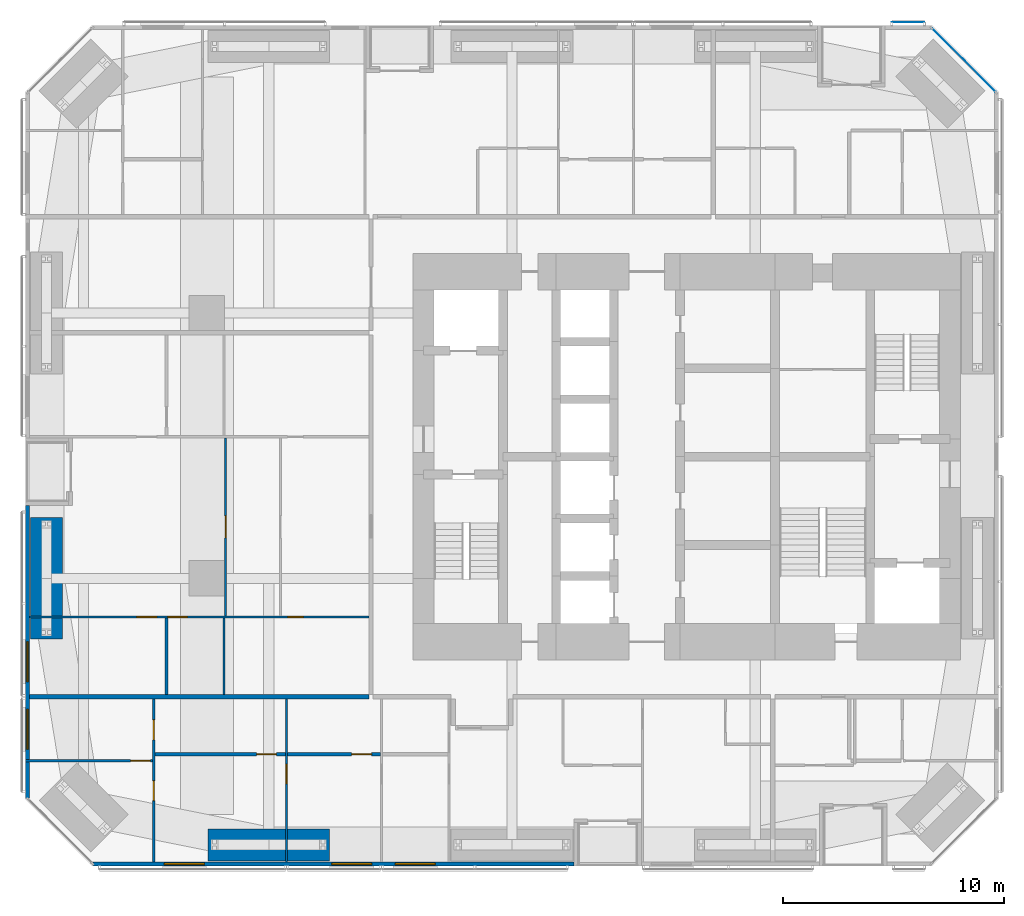
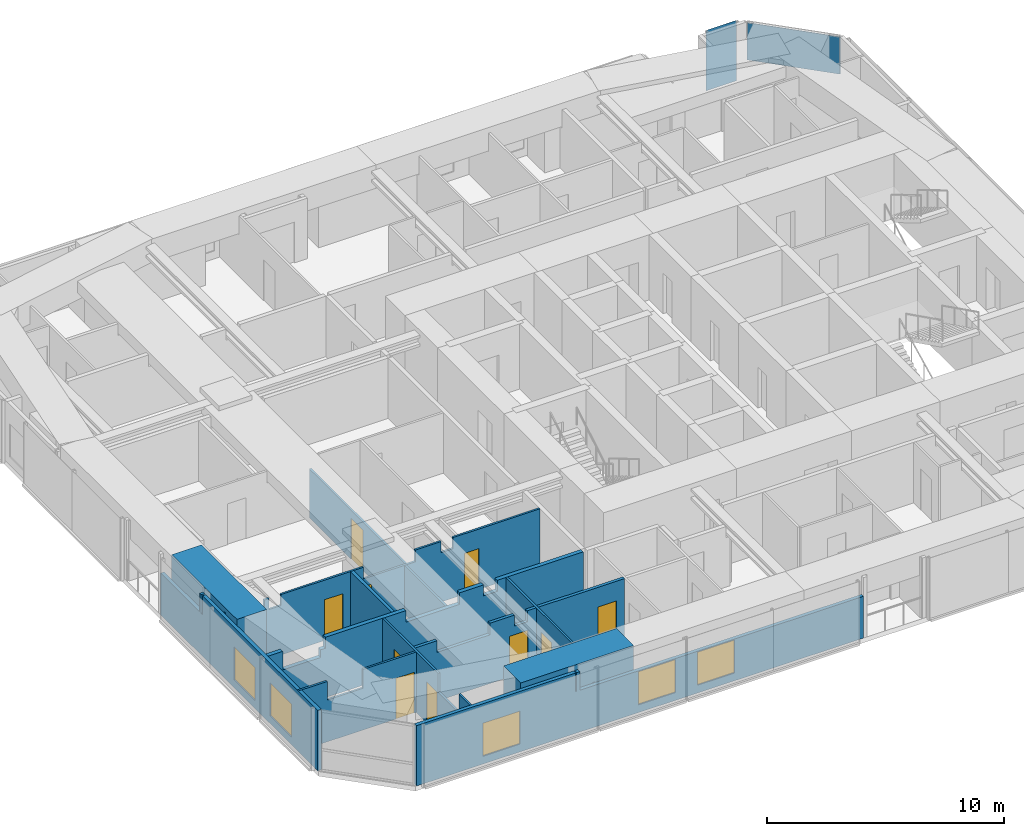
# One storey, part 17 of 24: 14 walls, 10 doors, 5 windows, 2 plates, 15 openings, 2 elements without a shape of their own.
"""IFC4 building model written with IfcOpenShell, lengths in metres."""

import ifcopenshell
import ifcopenshell.guid

model = None  # the IFC model being written
_history = None  # IfcOwnerHistory: only IFC2X3 demands one
_inside = {}  # id of a spatial element -> (the spatial element, [elements in it])
_under = {}  # id of a project, library or spatial element -> (it, [spatial elements below it])
_declared = {}  # id of a project -> (the project, [libraries it declares])
_typed = {}  # id of a type object -> (the type object, [elements of that type])
_made_of = {}  # id of a material, layer set ... -> (it, [elements and type objects made of it])


def new_model(schema):
    """Start an empty IFC model of exactly this schema.

    Asked for "IFC4X3", IfcOpenShell would pick the latest addendum, in which some entities
    have other attributes; the version numbers below select the first issue.
    IFC2X3 requires an IfcOwnerHistory on every rooted entity: one is made here for all.
    """
    global model, _history
    if schema == "IFC4X3":
        model = ifcopenshell.file(schema_version=(4, 3, 0, 0))
    else:
        model = ifcopenshell.file(schema=schema)
    _inside.clear()
    _under.clear()
    _declared.clear()
    _typed.clear()
    _made_of.clear()
    _history = None
    if model.schema == "IFC2X3":
        org = make("IfcOrganization", Name="unknown")
        user = make(
            "IfcPersonAndOrganization",
            ThePerson=make("IfcPerson", FamilyName="unknown"),
            TheOrganization=org,
        )
        app = make(
            "IfcApplication",
            ApplicationDeveloper=org,
            Version="unknown",
            ApplicationFullName="unknown",
            ApplicationIdentifier="unknown",
        )
        _history = make(
            "IfcOwnerHistory",
            OwningUser=user,
            OwningApplication=app,
            ChangeAction="ADDED",
            CreationDate=0,
        )
    return model


def make(cls, **values):
    """One entity of the class cls with the attributes given. An attribute that is None is left unset."""
    return model.create_entity(
        cls, **{name: value for name, value in values.items() if value is not None}
    )


def rooted(cls, **values):
    """An entity with a GlobalId (a new one), such as an element, a storey or a relation."""
    return make(cls, GlobalId=ifcopenshell.guid.new(), OwnerHistory=_history, **values)


def si_unit(unit_type, name, prefix=None):
    """IfcSIUnit, for example si_unit("LENGTHUNIT", "METRE", prefix="MILLI")."""
    return make("IfcSIUnit", UnitType=unit_type, Prefix=prefix, Name=name)


def assignment(units):
    """IfcUnitAssignment: the units of a project."""
    return None if units is None else make("IfcUnitAssignment", Units=units)


def point(xyz):
    """IfcCartesianPoint."""
    return None if xyz is None else make("IfcCartesianPoint", Coordinates=xyz)


def direction(xyz):
    """IfcDirection."""
    return None if xyz is None else make("IfcDirection", DirectionRatios=xyz)


def frame(location, z_axis=None, x_axis=None):
    """IfcAxis2Placement3D, a coordinate frame: its origin and axes. An axis left out is left unset."""
    return make(
        "IfcAxis2Placement3D",
        Location=point(location),
        Axis=direction(z_axis),
        RefDirection=direction(x_axis),
    )


def frame_2d(location, x_axis=None):
    """IfcAxis2Placement2D, a coordinate frame in the plane: its origin and x axis."""
    return make(
        "IfcAxis2Placement2D", Location=point(location), RefDirection=direction(x_axis)
    )


def origin():
    """The frame at (0, 0, 0) with its axes left unset."""
    return frame((0.0, 0.0, 0.0))


def origin_2d():
    """The frame at (0, 0) in the plane with its x axis left unset."""
    return frame_2d((0.0, 0.0))


def place(relative_to, where):
    """IfcLocalPlacement: puts the frame where relative to a parent placement (None: the world)."""
    return make(
        "IfcLocalPlacement", PlacementRelTo=relative_to, RelativePlacement=where
    )


def context(
    kind, dimensions, precision=None, world=None, true_north=None, identifier=None
):
    """IfcGeometricRepresentationContext, for example the 3D "Model" context."""
    return make(
        "IfcGeometricRepresentationContext",
        ContextIdentifier=identifier,
        ContextType=kind,
        CoordinateSpaceDimension=dimensions,
        Precision=precision,
        WorldCoordinateSystem=world,
        TrueNorth=true_north,
    )


def subcontext(parent, identifier, kind, view, scale=None):
    """IfcGeometricRepresentationSubContext, for example "Body" below "Model"."""
    return make(
        "IfcGeometricRepresentationSubContext",
        ContextIdentifier=identifier,
        ContextType=kind,
        ParentContext=parent,
        TargetScale=scale,
        TargetView=view,
    )


def project(units=None, contexts=None):
    """IfcProject with its units and contexts."""
    return rooted(
        "IfcProject",
        Name="project",
        RepresentationContexts=contexts,
        UnitsInContext=assignment(units),
    )


def spatial(cls, under=None, at=None, **own):
    """A site, building, storey or space (cls), placed at a placement, below another one or the project."""
    s = rooted(cls, ObjectPlacement=at, **own)
    if under is not None:
        _under.setdefault(under.id(), (under, []))[1].append(s)
    return s


def polyline(points):
    """IfcPolyline through the points."""
    return make("IfcPolyline", Points=[point(p) for p in points])


def profile(cls, at=None, kind="AREA", **sizes):
    """A parametric profile (cls). Its sizes go by their IFC names, for example OverallWidth=200.0."""
    return make(cls, ProfileType=kind, Position=at, **sizes)


def rectangle(**sizes):
    """IfcRectangleProfileDef."""
    return profile("IfcRectangleProfileDef", **sizes)


def outline(outer, holes=None, kind="AREA"):
    """IfcArbitraryClosedProfileDef: a profile drawn as a closed curve; with holes, ...WithVoids."""
    if holes is None:
        return make("IfcArbitraryClosedProfileDef", ProfileType=kind, OuterCurve=outer)
    return make(
        "IfcArbitraryProfileDefWithVoids",
        ProfileType=kind,
        OuterCurve=outer,
        InnerCurves=holes,
    )


def extrude(swept, where, along, depth):
    """IfcExtrudedAreaSolid: the profile swept, set in the frame where, extruded along a direction by depth."""
    return make(
        "IfcExtrudedAreaSolid",
        SweptArea=swept,
        Position=where,
        ExtrudedDirection=direction(along),
        Depth=depth,
    )


def shape(context_of_items, identifier, shape_type, items):
    """IfcShapeRepresentation: the items that make up one representation, for example the "Body"."""
    return make(
        "IfcShapeRepresentation",
        ContextOfItems=context_of_items,
        RepresentationIdentifier=identifier,
        RepresentationType=shape_type,
        Items=items,
    )


def material(Name=None, Category=None):
    """IfcMaterial."""
    return make("IfcMaterial", Name=Name, Category=Category)


def layer(
    of_material, thickness, ventilated=None, Name=None, Category=None, Priority=None
):
    """IfcMaterialLayer: one layer of a wall or slab, of a material (None: an air gap)."""
    return make(
        "IfcMaterialLayer",
        Material=of_material,
        LayerThickness=thickness,
        IsVentilated=ventilated,
        Name=Name,
        Category=Category,
        Priority=Priority,
    )


def layer_set(layers, Name=None):
    """IfcMaterialLayerSet."""
    return make("IfcMaterialLayerSet", MaterialLayers=layers, LayerSetName=Name)


def constituent(of_material, Name=None, Category=None, fraction=None):
    """IfcMaterialConstituent: one of the materials an element consists of."""
    return make(
        "IfcMaterialConstituent",
        Name=Name,
        Material=of_material,
        Fraction=fraction,
        Category=Category,
    )


def constituent_set(constituents=None, Name=None):
    """IfcMaterialConstituentSet."""
    return make(
        "IfcMaterialConstituentSet", Name=Name, MaterialConstituents=constituents
    )


def made_of(thing, what):
    """Note that an element or type object is made of a material, layer set ...; save() writes the relation."""
    if what is not None:
        _made_of.setdefault(what.id(), (what, []))[1].append(thing)
    return thing


def type_object(cls, material=None, **own):
    """A type object (cls), such as IfcWallType, which elements share."""
    return made_of(rooted(cls, **own), material)


def element(
    cls,
    number,
    at=None,
    inside=None,
    cuts=None,
    type_object=None,
    material=None,
    context=None,
    identifier="Body",
    shape_type=None,
    held_by="IfcProductDefinitionShape",
    body=None,
    shapes=None,
    **own,
):
    """One element of the class cls, such as IfcWall. Its Tag is "e" and its number.

    at: its placement. inside: the storey or other place that contains it. cuts: it is an
    opening in that element (IfcRelVoidsElement). A single representation is given by context,
    identifier, shape_type and body (its items); several are given by shapes. held_by: the class
    of the entity that holds the representations. save() writes the other relations.
    """
    e = rooted(cls, Tag="e%d" % number, ObjectPlacement=at, **own)
    if body is not None:
        shapes = [shape(context, identifier, shape_type, body)]
    if shapes is not None:
        e.Representation = make(held_by, Representations=shapes)
    if inside is not None:
        _inside.setdefault(inside.id(), (inside, []))[1].append(e)
    if cuts is not None:
        rooted(
            "IfcRelVoidsElement", RelatingBuildingElement=cuts, RelatedOpeningElement=e
        )
    if type_object is not None:
        _typed.setdefault(type_object.id(), (type_object, []))[1].append(e)
    return made_of(e, material)


def fill(opening, filler):
    """IfcRelFillsElement: the door or window that sits in an opening."""
    return rooted(
        "IfcRelFillsElement",
        RelatingOpeningElement=opening,
        RelatedBuildingElement=filler,
    )


def aggregate(whole, parts):
    """IfcRelAggregates: a whole, such as a stair, and the parts it consists of."""
    return rooted("IfcRelAggregates", RelatingObject=whole, RelatedObjects=parts)


def save(model, path):
    """Write the relations noted so far, then the file.

    IfcRelAggregates (storeys below a building ...), IfcRelContainedInSpatialStructure (elements
    in a storey), IfcRelDefinesByType, IfcRelAssociatesMaterial and IfcRelDeclares: one each for
    every whole, place, type object, material and project.
    """
    for whole, parts in _under.values():
        aggregate(whole, parts)
    for where, things in _inside.values():
        rooted(
            "IfcRelContainedInSpatialStructure",
            RelatedElements=things,
            RelatingStructure=where,
        )
    for kind, things in _typed.values():
        rooted("IfcRelDefinesByType", RelatedObjects=things, RelatingType=kind)
    for what, things in _made_of.values():
        rooted("IfcRelAssociatesMaterial", RelatedObjects=things, RelatingMaterial=what)
    for by, libraries in _declared.values():
        rooted("IfcRelDeclares", RelatingContext=by, RelatedDefinitions=libraries)
    model.write(path)


model = new_model("IFC4")

# Units and contexts
model_context = context("Model", 3, precision=1e-05, world=origin(), true_north=direction((0.0, 1.0)))
body_context = subcontext(model_context, "Body", "Model", "MODEL_VIEW")
ifc_project = project(units=[si_unit("LENGTHUNIT", "METRE"), si_unit("AREAUNIT", "SQUARE_METRE"), si_unit("VOLUMEUNIT", "CUBIC_METRE"), si_unit("PLANEANGLEUNIT", "RADIAN"), si_unit("MASSUNIT", "GRAM", prefix="KILO")], contexts=[model_context])

# Site, building, storey
site_placement = place(None, origin())
site = spatial("IfcSite", under=ifc_project, at=site_placement, CompositionType="ELEMENT")
building_placement = place(site_placement, origin())
building = spatial("IfcBuilding", under=site, at=building_placement, Name="Jalousie Tower", CompositionType="ELEMENT")
storey_placement = place(building_placement, frame((0.0, 0.0, 57.85009765625)))
storey = spatial("IfcBuildingStorey", under=building, at=storey_placement, Name="L15", CompositionType="ELEMENT", Elevation=57.85009765625)

# Curtain wall, plate
ifc_material_1 = material(Name="Aluminium curtain wall", Category="aluminium")
curtain_wall_type_1 = type_object("IfcCurtainWallType", Name="CORNER WINDOW WALL", PredefinedType="USERDEFINED", material=ifc_material_1)
curtain_wall_1_placement = place(storey_placement, origin())
curtain_wall_1 = element("IfcCurtainWall", 1, at=curtain_wall_1_placement, inside=storey, type_object=curtain_wall_type_1, Name="Corner Window Wall L15 4", ObjectType="CORNER WINDOW WALL", PredefinedType="USERDEFINED")
ifc_material_2 = material(Name="Laminated impact-rated spandrel glass", Category="glass")
ifc_layer_1 = layer(ifc_material_2, 0.028076171875)
ifc_layer_set_1 = layer_set([ifc_layer_1], Name="Laminated impact-rated spandrel glass")
plate_type_1 = type_object("IfcPlateType", Name="CORNER WINDOW WALL PANEL", PredefinedType="CURTAIN_PANEL", material=ifc_layer_set_1)
plate_1_placement = place(storey_placement, frame((44.4306640625, 36.4306640625, 1.1298828125), z_axis=(0.0, 0.0, 1.0), x_axis=(-0.707106781187, 0.707106781187, 0.0)))
plate_1 = element("IfcPlate", 2, at=plate_1_placement, type_object=plate_type_1, Name="CW-C panel 1.2", PredefinedType="CURTAIN_PANEL", context=body_context, shape_type="SweptSolid", body=[
    extrude(rectangle(XDim=4.071533203125, YDim=0.028076171875, at=origin_2d()), origin(), (0.0, 0.0, 1.0), 1.919921875),
])
aggregate(curtain_wall_1, [plate_1])

ifc_material_3 = material(Name="Perforated aluminium sheet", Category="aluminium")
curtain_wall_type_2 = type_object("IfcCurtainWallType", Name="SOLAR SCREEN SS-1", PredefinedType="USERDEFINED", material=ifc_material_3)
curtain_wall_2_placement = place(storey_placement, origin())
curtain_wall_2 = element("IfcCurtainWall", 3, at=curtain_wall_2_placement, inside=storey, type_object=curtain_wall_type_2, Name="Solar screen L15", ObjectType="SOLAR SCREEN SS-1", PredefinedType="USERDEFINED")
ifc_material_4 = material(Name="Perforated aluminium sheet", Category="aluminium")
ifc_layer_2 = layer(ifc_material_4, 0.006103515625)
ifc_layer_set_2 = layer_set([ifc_layer_2], Name="Perforated aluminium sheet")
plate_type_2 = type_object("IfcPlateType", Name="SOLAR SCREEN SS-1 PANEL", PredefinedType="CURTAIN_PANEL", material=ifc_layer_set_2)
plate_2_placement = place(storey_placement, frame((41.9111328125, 38.150390625, 0.0), z_axis=(0.0, 0.0, 1.0), x_axis=(-1.0, 0.0, 0.0)))
plate_2 = element("IfcPlate", 4, at=plate_2_placement, type_object=plate_type_2, Name="SS1 perforated panel 1", PredefinedType="CURTAIN_PANEL", context=body_context, shape_type="SweptSolid", body=[
    extrude(rectangle(XDim=1.47509765625, YDim=0.006103515625, at=origin_2d()), origin(), (0.0, 0.0, 1.0), 3.110107421875),
])
aggregate(curtain_wall_2, [plate_2])

# Wall, opening, door
ifc_material_5 = material(Name="Concrete block ASTM C90", Category="concrete")
ifc_constituent_1 = constituent(ifc_material_5, Name="Body")
ifc_material_6 = material(Name="Render")
ifc_constituent_2 = constituent(ifc_material_6, Name="Finish")
ifc_constituent_set_1 = constituent_set(constituents=[ifc_constituent_1, ifc_constituent_2])
wall_type_1 = type_object("IfcWallType", Name="BATHROOM WALL 150", PredefinedType="PLUMBINGWALL", material=ifc_constituent_set_1)
wall_1_placement = place(storey_placement, frame((7.85009765625, 5.050048828125, 0.0), z_axis=(0.0, 0.0, 1.0), x_axis=(1.0, 0.0, 0.0)))
wall_1 = element("IfcWall", 5, at=wall_1_placement, inside=storey, type_object=wall_type_1, Name="Bathroom Wall 150 L15", PredefinedType="PLUMBINGWALL", context=body_context, shape_type="SweptSolid", body=[
    extrude(outline(polyline([(0.0, 0.0), (5.89990234375, 0.0), (5.89990234375, 3.10986328125), (5.46240234375, 3.10986328125), (5.46240234375, 2.541015625), (4.837646484375, 2.541015625), (4.837646484375, 3.10986328125), (3.635009765625, 3.10986328125), (3.635009765625, 2.510009765625), (1.06494140625, 2.510009765625), (1.06494140625, 3.10986328125), (0.0, 3.10986328125), (0.0, 0.0)])), frame((0.0, 0.074951171875, 0.0), z_axis=(0.0, -1.0, 0.0), x_axis=(1.0, 0.0, 0.0)), (0.0, 0.0, 1.0), 0.14990234375),
])
opening_1_placement = place(wall_1_placement, frame((4.60009765625, 0.0, 0.0)))
opening_1 = element("IfcOpeningElement", 6, at=opening_1_placement, cuts=wall_1, Name="Opening D3", PredefinedType="OPENING", context=body_context, shape_type="SweptSolid", body=[
    extrude(rectangle(XDim=0.89990234375, YDim=2.10009765625, at=frame_2d((0.449951171875, 1.050048828125))), frame((0.0, 0.0849609375, 0.0), z_axis=(0.0, -1.0, 0.0), x_axis=(1.0, 0.0, 0.0)), (0.0, 0.0, 1.0), 0.169921875),
])
ifc_material_7 = material(Name="Timber door", Category="wood")
door_type_1 = type_object("IfcDoorType", Name="BATHROOM DOOR 900", OperationType="SINGLE_SWING_LEFT", PredefinedType="DOOR", material=ifc_material_7)
door_1_placement = place(opening_1_placement, origin())
door_1 = element("IfcDoor", 7, at=door_1_placement, inside=storey, type_object=door_type_1, Name="Apartment 1501 bedroom 2 bathroom door", OperationType="SINGLE_SWING_RIGHT", OverallHeight=2.10009765625, OverallWidth=0.89990234375, PredefinedType="DOOR", context=body_context, shape_type="SweptSolid", body=[
    extrude(rectangle(XDim=0.89990234375, YDim=2.10009765625, at=frame_2d((0.449951171875, 1.050048828125))), frame((0.0, 0.02490234375, 0.0), z_axis=(0.0, -1.0, 0.0), x_axis=(1.0, 0.0, 0.0)), (0.0, 0.0, 1.0), 0.050048828125),
])
fill(opening_1, door_1)

wall_2_placement = place(storey_placement, frame((13.85009765625, 5.050048828125, 0.0), z_axis=(0.0, 0.0, 1.0), x_axis=(1.0, 0.0, 0.0)))
wall_2 = element("IfcWall", 8, at=wall_2_placement, inside=storey, type_object=wall_type_1, Name="Bathroom Wall 150 L15", PredefinedType="PLUMBINGWALL", context=body_context, shape_type="SweptSolid", body=[
    extrude(rectangle(XDim=4.199951171875, YDim=0.14990234375, at=frame_2d((2.10009765625, 0.0))), origin(), (0.0, 0.0, 1.0), 3.10986328125),
])
opening_2_placement = place(wall_2_placement, frame((2.89990234375, 0.0, 0.0)))
opening_2 = element("IfcOpeningElement", 9, at=opening_2_placement, cuts=wall_2, Name="Opening D3", PredefinedType="OPENING", context=body_context, shape_type="SweptSolid", body=[
    extrude(rectangle(XDim=0.89990234375, YDim=2.10009765625, at=frame_2d((0.449951171875, 1.050048828125))), frame((0.0, 0.0849609375, 0.0), z_axis=(0.0, -1.0, 0.0), x_axis=(1.0, 0.0, 0.0)), (0.0, 0.0, 1.0), 0.169921875),
])
door_2_placement = place(opening_2_placement, origin())
door_2 = element("IfcDoor", 10, at=door_2_placement, inside=storey, type_object=door_type_1, Name="Apartment 1501 bedroom 3 bathroom door", OperationType="SINGLE_SWING_RIGHT", OverallHeight=2.10009765625, OverallWidth=0.89990234375, PredefinedType="DOOR", context=body_context, shape_type="SweptSolid", body=[
    extrude(rectangle(XDim=0.89990234375, YDim=2.10009765625, at=frame_2d((0.449951171875, 1.050048828125))), frame((0.0, 0.02490234375, 0.0), z_axis=(0.0, -1.0, 0.0), x_axis=(1.0, 0.0, 0.0)), (0.0, 0.0, 1.0), 0.050048828125),
])
fill(opening_2, door_2)

# Wall
wall_3_placement = place(storey_placement, frame((8.375, 7.75, 0.0), z_axis=(0.0, 0.0, 1.0), x_axis=(0.0, 1.0, 0.0)))
element("IfcWall", 11, at=wall_3_placement, inside=storey, type_object=wall_type_1, Name="Bathroom Wall 150 L15", PredefinedType="PLUMBINGWALL", context=body_context, shape_type="SweptSolid", body=[
    extrude(rectangle(XDim=3.449951171875, YDim=0.14990234375, at=frame_2d((1.72509765625, 0.0))), origin(), (0.0, 0.0, 1.0), 3.10986328125),
])

# Wall, openings, windows
ifc_material_8 = material(Name="Concrete f'c 40 MPa", Category="concrete")
ifc_constituent_3 = constituent(ifc_material_8, Name="Body")
ifc_material_9 = material(Name="Render, pastel coral")
ifc_constituent_4 = constituent(ifc_material_9, Name="Finish")
ifc_constituent_set_2 = constituent_set(constituents=[ifc_constituent_3, ifc_constituent_4])
wall_type_2 = type_object("IfcWallType", Name="EXTERNAL WALL 175 CORAL RENDER", PredefinedType="SOLIDWALL", material=ifc_constituent_set_2)
wall_4_placement = place(storey_placement, frame((5.05126953125, 0.08740234375, 0.0), z_axis=(0.0, 0.0, 1.0), x_axis=(1.0, 0.0, 0.0)))
wall_4 = element("IfcWall", 12, at=wall_4_placement, inside=storey, type_object=wall_type_2, Name="External Wall 175 Coral Render L15", PredefinedType="SOLIDWALL", context=body_context, shape_type="SweptSolid", body=[
    extrude(outline(polyline([(0.0, 0.0), (21.748779296875, 0.0), (21.748779296875, 2.14990234375), (7.94873046875, 2.14990234375), (7.94873046875, 3.10986328125), (7.79296875, 3.10986328125), (7.79296875, 2.14990234375), (7.74462890625, 2.14990234375), (7.74462890625, 3.10986328125), (0.0, 3.10986328125), (0.0, 0.0)])), frame((0.0, 0.08740234375, 0.0), z_axis=(0.0, -1.0, 0.0), x_axis=(1.0, 0.0, 0.0)), (0.0, 0.0, 1.0), 0.175048828125),
])
opening_3_placement = place(wall_4_placement, frame((3.233642578125, 0.0, 0.39990234375)))
opening_3 = element("IfcOpeningElement", 13, at=opening_3_placement, cuts=wall_4, Name="Opening W-BED170", PredefinedType="OPENING", context=body_context, shape_type="SweptSolid", body=[
    extrude(rectangle(XDim=1.800048828125, YDim=1.699951171875, at=frame_2d((0.89990234375, 0.85009765625))), frame((0.0, 0.097412109375, 0.0), z_axis=(0.0, -1.0, 0.0), x_axis=(1.0, 0.0, 0.0)), (0.0, 0.0, 1.0), 0.195068359375),
])
opening_4_placement = place(wall_4_placement, frame((10.80615234375, 0.0, 0.39990234375)))
opening_4 = element("IfcOpeningElement", 14, at=opening_4_placement, cuts=wall_4, Name="Opening W-BED170", PredefinedType="OPENING", context=body_context, shape_type="SweptSolid", body=[
    extrude(rectangle(XDim=1.800048828125, YDim=1.699951171875, at=frame_2d((0.89990234375, 0.85009765625))), frame((0.0, 0.097412109375, 0.0), z_axis=(0.0, -1.0, 0.0), x_axis=(1.0, 0.0, 0.0)), (0.0, 0.0, 1.0), 0.195068359375),
])
opening_5_placement = place(wall_4_placement, frame((13.673583984375, 0.0, 0.39990234375)))
opening_5 = element("IfcOpeningElement", 15, at=opening_5_placement, cuts=wall_4, Name="Opening W-BED170", PredefinedType="OPENING", context=body_context, shape_type="SweptSolid", body=[
    extrude(rectangle(XDim=1.800048828125, YDim=1.699951171875, at=frame_2d((0.89990234375, 0.85009765625))), frame((0.0, 0.097412109375, 0.0), z_axis=(0.0, -1.0, 0.0), x_axis=(1.0, 0.0, 0.0)), (0.0, 0.0, 1.0), 0.195068359375),
])
ifc_material_10 = material(Name="Aluminium frame, impact-rated glazing", Category="aluminium")
window_type = type_object("IfcWindowType", Name="WINDOW BED 1800x1700", PartitioningType="SINGLE_PANEL", PredefinedType="WINDOW", material=ifc_material_10)
window_1_placement = place(opening_3_placement, origin())
window_1 = element("IfcWindow", 16, at=window_1_placement, inside=storey, type_object=window_type, Name="Apartment 1501 bedroom 2 window", OverallHeight=1.699951171875, OverallWidth=1.800048828125, PartitioningType="SINGLE_PANEL", PredefinedType="WINDOW", context=body_context, shape_type="SweptSolid", body=[
    extrude(rectangle(XDim=1.800048828125, YDim=1.699951171875, at=frame_2d((0.89990234375, 0.85009765625))), frame((0.0, 0.030029296875, 0.0), z_axis=(0.0, -1.0, 0.0), x_axis=(1.0, 0.0, 0.0)), (0.0, 0.0, 1.0), 0.06005859375),
])
fill(opening_3, window_1)
window_2_placement = place(opening_4_placement, origin())
window_2 = element("IfcWindow", 17, at=window_2_placement, inside=storey, type_object=window_type, Name="Apartment 1501 bedroom 3 window", OverallHeight=1.699951171875, OverallWidth=1.800048828125, PartitioningType="SINGLE_PANEL", PredefinedType="WINDOW", context=body_context, shape_type="SweptSolid", body=[
    extrude(rectangle(XDim=1.800048828125, YDim=1.699951171875, at=frame_2d((0.89990234375, 0.85009765625))), frame((0.0, 0.030029296875, 0.0), z_axis=(0.0, -1.0, 0.0), x_axis=(1.0, 0.0, 0.0)), (0.0, 0.0, 1.0), 0.06005859375),
])
fill(opening_4, window_2)
window_3_placement = place(opening_5_placement, origin())
window_3 = element("IfcWindow", 18, at=window_3_placement, inside=storey, type_object=window_type, Name="Apartment 1501 bedroom 4 window", OverallHeight=1.699951171875, OverallWidth=1.800048828125, PartitioningType="SINGLE_PANEL", PredefinedType="WINDOW", context=body_context, shape_type="SweptSolid", body=[
    extrude(rectangle(XDim=1.800048828125, YDim=1.699951171875, at=frame_2d((0.89990234375, 0.85009765625))), frame((0.0, 0.030029296875, 0.0), z_axis=(0.0, -1.0, 0.0), x_axis=(1.0, 0.0, 0.0)), (0.0, 0.0, 1.0), 0.06005859375),
])
fill(opening_5, window_3)

wall_5_placement = place(storey_placement, frame((2.08740234375, 16.300048828125, 0.0), z_axis=(0.0, 0.0, 1.0), x_axis=(0.0, -1.0, 0.0)))
wall_5 = element("IfcWall", 19, at=wall_5_placement, inside=storey, type_object=wall_type_2, Name="External Wall 175 Coral Render L15", PredefinedType="SOLIDWALL", context=body_context, shape_type="SweptSolid", body=[
    extrude(outline(polyline([(0.0, 0.0), (13.248779296875, 0.0), (13.248779296875, 3.10986328125), (3.5185546875, 3.10986328125), (3.5185546875, 2.14990234375), (3.42578125, 2.14990234375), (3.42578125, 3.10986328125), (3.300048828125, 3.10986328125), (3.300048828125, 2.14990234375), (0.0, 2.14990234375), (0.0, 0.0)])), frame((0.0, 0.08740234375, 0.0), z_axis=(0.0, -1.0, 0.0), x_axis=(1.0, 0.0, 0.0)), (0.0, 0.0, 1.0), 0.175048828125),
])
opening_6_placement = place(wall_5_placement, frame((6.175048828125, 0.0, 0.39990234375)))
opening_6 = element("IfcOpeningElement", 20, at=opening_6_placement, cuts=wall_5, Name="Opening W-BED170", PredefinedType="OPENING", context=body_context, shape_type="SweptSolid", body=[
    extrude(rectangle(XDim=1.800048828125, YDim=1.699951171875, at=frame_2d((0.89990234375, 0.85009765625))), frame((0.0, 0.097412109375, 0.0), z_axis=(0.0, -1.0, 0.0), x_axis=(1.0, 0.0, 0.0)), (0.0, 0.0, 1.0), 0.195068359375),
])
opening_7_placement = place(wall_5_placement, frame((9.226806640625, 0.0, 0.39990234375)))
opening_7 = element("IfcOpeningElement", 21, at=opening_7_placement, cuts=wall_5, Name="Opening W-BED170", PredefinedType="OPENING", context=body_context, shape_type="SweptSolid", body=[
    extrude(rectangle(XDim=1.800048828125, YDim=1.699951171875, at=frame_2d((0.89990234375, 0.85009765625))), frame((0.0, 0.097412109375, 0.0), z_axis=(0.0, -1.0, 0.0), x_axis=(1.0, 0.0, 0.0)), (0.0, 0.0, 1.0), 0.195068359375),
])
window_4_placement = place(opening_6_placement, origin())
window_4 = element("IfcWindow", 22, at=window_4_placement, inside=storey, type_object=window_type, Name="Apartment 1505 bedroom 1 window", OverallHeight=1.699951171875, OverallWidth=1.800048828125, PartitioningType="SINGLE_PANEL", PredefinedType="WINDOW", context=body_context, shape_type="SweptSolid", body=[
    extrude(rectangle(XDim=1.800048828125, YDim=1.699951171875, at=frame_2d((0.89990234375, 0.85009765625))), frame((0.0, 0.030029296875, 0.0), z_axis=(0.0, -1.0, 0.0), x_axis=(1.0, 0.0, 0.0)), (0.0, 0.0, 1.0), 0.06005859375),
])
fill(opening_6, window_4)
window_5_placement = place(opening_7_placement, origin())
window_5 = element("IfcWindow", 23, at=window_5_placement, inside=storey, type_object=window_type, Name="Apartment 1501 bedroom 1 window", OverallHeight=1.699951171875, OverallWidth=1.800048828125, PartitioningType="SINGLE_PANEL", PredefinedType="WINDOW", context=body_context, shape_type="SweptSolid", body=[
    extrude(rectangle(XDim=1.800048828125, YDim=1.699951171875, at=frame_2d((0.89990234375, 0.85009765625))), frame((0.0, 0.030029296875, 0.0), z_axis=(0.0, -1.0, 0.0), x_axis=(1.0, 0.0, 0.0)), (0.0, 0.0, 1.0), 0.06005859375),
])
fill(opening_7, window_5)

# Wall, openings, doors
ifc_material_11 = material(Name="Gypsum board", Category="gypsum")
ifc_constituent_5 = constituent(ifc_material_11, Name="Body")
ifc_material_12 = material(Name="Light-gauge steel studs ASTM A653 SS Grade 33", Category="steel")
ifc_constituent_6 = constituent(ifc_material_12, Name="Framing")
ifc_constituent_set_3 = constituent_set(constituents=[ifc_constituent_5, ifc_constituent_6])
wall_type_3 = type_object("IfcWallType", Name="PARTITION 100", PredefinedType="PARTITIONING", material=ifc_constituent_set_3)
wall_6_placement = place(storey_placement, frame((7.800048828125, 0.175048828125, 0.0), z_axis=(0.0, 0.0, 1.0), x_axis=(0.0, 1.0, 0.0)))
wall_6 = element("IfcWall", 24, at=wall_6_placement, inside=storey, type_object=wall_type_3, Name="Partition 100 L15", PredefinedType="PARTITIONING", context=body_context, shape_type="SweptSolid", body=[
    extrude(outline(polyline([(0.0, 0.0), (7.375, 0.0), (7.375, 3.10986328125), (2.697021484375, 3.10986328125), (2.697021484375, 2.14990234375), (0.942626953125, 2.14990234375), (0.942626953125, 3.10986328125), (0.0, 3.10986328125), (0.0, 0.0)])), frame((0.0, 0.050048828125, 0.0), z_axis=(0.0, -1.0, 0.0), x_axis=(1.0, 0.0, 0.0)), (0.0, 0.0, 1.0), 0.10009765625),
])
opening_8_placement = place(wall_6_placement, frame((2.771728515625, 0.0, 0.0)))
opening_8 = element("IfcOpeningElement", 25, at=opening_8_placement, cuts=wall_6, Name="Opening D2", PredefinedType="OPENING", context=body_context, shape_type="SweptSolid", body=[
    extrude(rectangle(XDim=0.89990234375, YDim=2.10009765625, at=frame_2d((0.449951171875, 1.050048828125))), frame((0.0, 0.06005859375, 0.0), z_axis=(0.0, -1.0, 0.0), x_axis=(1.0, 0.0, 0.0)), (0.0, 0.0, 1.0), 0.1201171875),
])
opening_9_placement = place(wall_6_placement, frame((5.523193359375, 0.0, 0.0)))
opening_9 = element("IfcOpeningElement", 26, at=opening_9_placement, cuts=wall_6, Name="Opening D3", PredefinedType="OPENING", context=body_context, shape_type="SweptSolid", body=[
    extrude(rectangle(XDim=0.89990234375, YDim=2.10009765625, at=frame_2d((0.449951171875, 1.050048828125))), frame((0.0, 0.06005859375, 0.0), z_axis=(0.0, -1.0, 0.0), x_axis=(1.0, 0.0, 0.0)), (0.0, 0.0, 1.0), 0.1201171875),
])
door_3_placement = place(opening_9_placement, frame((0.89990234375, 0.0, 0.0), z_axis=(0.0, 0.0, 1.0), x_axis=(-1.0, 0.0, 0.0)))
door_3 = element("IfcDoor", 27, at=door_3_placement, inside=storey, type_object=door_type_1, Name="Apartment 1501 bedroom 1 bathroom door", OperationType="SINGLE_SWING_RIGHT", OverallHeight=2.10009765625, OverallWidth=0.89990234375, PredefinedType="DOOR", context=body_context, shape_type="SweptSolid", body=[
    extrude(rectangle(XDim=0.89990234375, YDim=2.10009765625, at=frame_2d((0.449951171875, 1.050048828125))), frame((0.0, 0.02490234375, 0.0), z_axis=(0.0, -1.0, 0.0), x_axis=(1.0, 0.0, 0.0)), (0.0, 0.0, 1.0), 0.050048828125),
])
fill(opening_9, door_3)
ifc_material_13 = material(Name="Timber door", Category="wood")
door_type_2 = type_object("IfcDoorType", Name="BEDROOM DOOR 900", OperationType="SINGLE_SWING_LEFT", PredefinedType="DOOR", material=ifc_material_13)
door_4_placement = place(opening_8_placement, frame((0.89990234375, 0.0, 0.0), z_axis=(0.0, 0.0, 1.0), x_axis=(-1.0, 0.0, 0.0)))
door_4 = element("IfcDoor", 28, at=door_4_placement, inside=storey, type_object=door_type_2, Name="Apartment 1501 bedroom 1 door", OperationType="SINGLE_SWING_LEFT", OverallHeight=2.10009765625, OverallWidth=0.89990234375, PredefinedType="DOOR", context=body_context, shape_type="SweptSolid", body=[
    extrude(rectangle(XDim=0.89990234375, YDim=2.10009765625, at=frame_2d((0.449951171875, 1.050048828125))), frame((0.0, 0.02490234375, 0.0), z_axis=(0.0, -1.0, 0.0), x_axis=(1.0, 0.0, 0.0)), (0.0, 0.0, 1.0), 0.050048828125),
])
fill(opening_8, door_4)

# Wall, opening, door
wall_7_placement = place(storey_placement, frame((13.800048828125, 0.175048828125, 0.0), z_axis=(0.0, 0.0, 1.0), x_axis=(0.0, 1.0, 0.0)))
wall_7 = element("IfcWall", 29, at=wall_7_placement, inside=storey, type_object=wall_type_3, Name="Partition 100 L15", PredefinedType="PARTITIONING", context=body_context, shape_type="SweptSolid", body=[
    extrude(outline(polyline([(1.635009765625, 2.14990234375), (0.0, 2.14990234375), (0.0, 0.0), (7.375, 0.0), (7.375, 3.10986328125), (1.635009765625, 3.10986328125), (1.635009765625, 2.14990234375)]), holes=[polyline([(1.021240234375, 0.133056640625), (0.52880859375, 0.133056640625), (0.52880859375, 0.9228515625), (1.021240234375, 0.9228515625), (1.021240234375, 0.133056640625)]), polyline([(1.021240234375, 1.226806640625), (0.52880859375, 1.226806640625), (0.52880859375, 2.016845703125), (1.021240234375, 2.016845703125), (1.021240234375, 1.226806640625)])]), frame((0.0, 0.050048828125, 0.0), z_axis=(0.0, -1.0, 0.0), x_axis=(1.0, 0.0, 0.0)), (0.0, 0.0, 1.0), 0.10009765625),
])
opening_10_placement = place(wall_7_placement, frame((3.52490234375, 0.0, 0.0)))
opening_10 = element("IfcOpeningElement", 30, at=opening_10_placement, cuts=wall_7, Name="Opening D2", PredefinedType="OPENING", context=body_context, shape_type="SweptSolid", body=[
    extrude(rectangle(XDim=0.89990234375, YDim=2.10009765625, at=frame_2d((0.449951171875, 1.050048828125))), frame((0.0, 0.06005859375, 0.0), z_axis=(0.0, -1.0, 0.0), x_axis=(1.0, 0.0, 0.0)), (0.0, 0.0, 1.0), 0.1201171875),
])
door_5_placement = place(opening_10_placement, origin())
door_5 = element("IfcDoor", 31, at=door_5_placement, inside=storey, type_object=door_type_2, Name="Apartment 1501 bedroom 2 door", OperationType="SINGLE_SWING_RIGHT", OverallHeight=2.10009765625, OverallWidth=0.89990234375, PredefinedType="DOOR", context=body_context, shape_type="SweptSolid", body=[
    extrude(rectangle(XDim=0.89990234375, YDim=2.10009765625, at=frame_2d((0.449951171875, 1.050048828125))), frame((0.0, 0.02490234375, 0.0), z_axis=(0.0, -1.0, 0.0), x_axis=(1.0, 0.0, 0.0)), (0.0, 0.0, 1.0), 0.050048828125),
])
fill(opening_10, door_5)

wall_8_placement = place(storey_placement, frame((2.0, 4.74658203125, 0.0), z_axis=(0.0, 0.0, 1.0), x_axis=(1.0, 0.0, 0.0)))
wall_8 = element("IfcWall", 32, at=wall_8_placement, inside=storey, type_object=wall_type_3, Name="Partition 100 L15", PredefinedType="PARTITIONING", context=body_context, shape_type="SweptSolid", body=[
    extrude(outline(polyline([(0.0, 0.0), (5.75, 0.0), (5.75, 3.10986328125), (3.15966796875, 3.10986328125), (3.15966796875, 2.14990234375), (1.4169921875, 2.14990234375), (1.4169921875, 3.10986328125), (0.0, 3.10986328125), (0.0, 0.0)])), frame((0.0, 0.050048828125, 0.0), z_axis=(0.0, -1.0, 0.0), x_axis=(1.0, 0.0, 0.0)), (0.0, 0.0, 1.0), 0.10009765625),
])
opening_11_placement = place(wall_8_placement, frame((4.75, 0.0, 0.0)))
opening_11 = element("IfcOpeningElement", 33, at=opening_11_placement, cuts=wall_8, Name="Opening D7", PredefinedType="OPENING", context=body_context, shape_type="SweptSolid", body=[
    extrude(rectangle(XDim=0.89990234375, YDim=2.10009765625, at=frame_2d((0.449951171875, 1.050048828125))), frame((0.0, 0.06005859375, 0.0), z_axis=(0.0, -1.0, 0.0), x_axis=(1.0, 0.0, 0.0)), (0.0, 0.0, 1.0), 0.1201171875),
])
ifc_material_14 = material(Name="Timber door", Category="wood")
door_type_3 = type_object("IfcDoorType", Name="INTERNAL DOOR 900", OperationType="SINGLE_SWING_LEFT", PredefinedType="DOOR", material=ifc_material_14)
door_6_placement = place(opening_11_placement, origin())
door_6 = element("IfcDoor", 34, at=door_6_placement, inside=storey, type_object=door_type_3, Name="Apartment 1501 bedroom 1 dressing hall door", OperationType="SINGLE_SWING_RIGHT", OverallHeight=2.10009765625, OverallWidth=0.89990234375, PredefinedType="DOOR", context=body_context, shape_type="SweptSolid", body=[
    extrude(rectangle(XDim=0.89990234375, YDim=2.10009765625, at=frame_2d((0.449951171875, 1.050048828125))), frame((0.0, 0.02490234375, 0.0), z_axis=(0.0, -1.0, 0.0), x_axis=(1.0, 0.0, 0.0)), (0.0, 0.0, 1.0), 0.050048828125),
])
fill(opening_11, door_6)

# Wall, openings, doors
wall_9_placement = place(storey_placement, frame((2.175048828125, 11.25, 0.0), z_axis=(0.0, 0.0, 1.0), x_axis=(1.0, 0.0, 0.0)))
wall_9 = element("IfcWall", 35, at=wall_9_placement, inside=storey, type_object=wall_type_3, Name="Partition 100 L15", PredefinedType="PARTITIONING", context=body_context, shape_type="SweptSolid", body=[
    extrude(outline(polyline([(0.1875, 3.10986328125), (0.0, 3.10986328125), (0.0, 0.0), (0.52880859375, 0.0), (0.52880859375, 0.2734375), (1.021240234375, 0.2734375), (1.021240234375, 0.0), (15.35009765625, 0.0), (15.35009765625, 3.10986328125), (11.1123046875, 3.10986328125), (11.1123046875, 2.541015625), (10.53759765625, 2.541015625), (10.53759765625, 3.10986328125), (9.284912109375, 3.10986328125), (9.284912109375, 2.510009765625), (6.764892578125, 2.510009765625), (6.764892578125, 3.10986328125), (2.743896484375, 3.10986328125), (2.743896484375, 2.541015625), (2.169189453125, 2.541015625), (2.169189453125, 3.10986328125), (1.929931640625, 3.10986328125), (1.929931640625, 2.14990234375), (1.021240234375, 2.14990234375), (1.021240234375, 1.87646484375), (0.52880859375, 1.87646484375), (0.52880859375, 2.14990234375), (0.1875, 2.14990234375), (0.1875, 3.10986328125)])), frame((0.0, 0.050048828125, 0.0), z_axis=(0.0, -1.0, 0.0), x_axis=(1.0, 0.0, 0.0)), (0.0, 0.0, 1.0), 0.10009765625),
])
opening_12_placement = place(wall_9_placement, frame((4.85009765625, 0.0, 0.0)))
opening_12 = element("IfcOpeningElement", 36, at=opening_12_placement, cuts=wall_9, Name="Opening D2", PredefinedType="OPENING", context=body_context, shape_type="SweptSolid", body=[
    extrude(rectangle(XDim=0.89990234375, YDim=2.10009765625, at=frame_2d((0.449951171875, 1.050048828125))), frame((0.0, 0.06005859375, 0.0), z_axis=(0.0, -1.0, 0.0), x_axis=(1.0, 0.0, 0.0)), (0.0, 0.0, 1.0), 0.1201171875),
])
opening_13_placement = place(wall_9_placement, frame((6.25, 0.0, 0.0)))
opening_13 = element("IfcOpeningElement", 37, at=opening_13_placement, cuts=wall_9, Name="Opening D7", PredefinedType="OPENING", context=body_context, shape_type="SweptSolid", body=[
    extrude(rectangle(XDim=0.89990234375, YDim=2.10009765625, at=frame_2d((0.449951171875, 1.050048828125))), frame((0.0, 0.06005859375, 0.0), z_axis=(0.0, -1.0, 0.0), x_axis=(1.0, 0.0, 0.0)), (0.0, 0.0, 1.0), 0.1201171875),
])
opening_14_placement = place(wall_9_placement, frame((11.675048828125, 0.0, 0.0)))
opening_14 = element("IfcOpeningElement", 38, at=opening_14_placement, cuts=wall_9, Name="Opening D4", PredefinedType="OPENING", context=body_context, shape_type="SweptSolid", body=[
    extrude(rectangle(XDim=0.699951171875, YDim=2.10009765625, at=frame_2d((0.35009765625, 1.050048828125))), frame((0.0, 0.06005859375, 0.0), z_axis=(0.0, -1.0, 0.0), x_axis=(1.0, 0.0, 0.0)), (0.0, 0.0, 1.0), 0.1201171875),
])
door_7_placement = place(opening_12_placement, frame((0.89990234375, 0.0, 0.0), z_axis=(0.0, 0.0, 1.0), x_axis=(-1.0, 0.0, 0.0)))
door_7 = element("IfcDoor", 39, at=door_7_placement, inside=storey, type_object=door_type_2, Name="Apartment 1505 bedroom 1 door", OperationType="SINGLE_SWING_LEFT", OverallHeight=2.10009765625, OverallWidth=0.89990234375, PredefinedType="DOOR", context=body_context, shape_type="SweptSolid", body=[
    extrude(rectangle(XDim=0.89990234375, YDim=2.10009765625, at=frame_2d((0.449951171875, 1.050048828125))), frame((0.0, 0.02490234375, 0.0), z_axis=(0.0, -1.0, 0.0), x_axis=(1.0, 0.0, 0.0)), (0.0, 0.0, 1.0), 0.050048828125),
])
fill(opening_12, door_7)
door_8_placement = place(opening_13_placement, frame((0.89990234375, 0.0, 0.0), z_axis=(0.0, 0.0, 1.0), x_axis=(-1.0, 0.0, 0.0)))
door_8 = element("IfcDoor", 40, at=door_8_placement, inside=storey, type_object=door_type_3, Name="Apartment 1505 bathroom door", OperationType="SINGLE_SWING_RIGHT", OverallHeight=2.10009765625, OverallWidth=0.89990234375, PredefinedType="DOOR", context=body_context, shape_type="SweptSolid", body=[
    extrude(rectangle(XDim=0.89990234375, YDim=2.10009765625, at=frame_2d((0.449951171875, 1.050048828125))), frame((0.0, 0.02490234375, 0.0), z_axis=(0.0, -1.0, 0.0), x_axis=(1.0, 0.0, 0.0)), (0.0, 0.0, 1.0), 0.050048828125),
])
fill(opening_13, door_8)
ifc_material_15 = material(Name="Timber door", Category="wood")
door_type_4 = type_object("IfcDoorType", Name="STORE DOOR 700", OperationType="SINGLE_SWING_LEFT", PredefinedType="DOOR", material=ifc_material_15)
door_9_placement = place(opening_14_placement, frame((0.699951171875, 0.0, 0.0), z_axis=(0.0, 0.0, 1.0), x_axis=(-1.0, 0.0, 0.0)))
door_9 = element("IfcDoor", 41, at=door_9_placement, inside=storey, type_object=door_type_4, Name="Apartment 1505 store door", OperationType="SINGLE_SWING_RIGHT", OverallHeight=2.10009765625, OverallWidth=0.699951171875, PredefinedType="DOOR", context=body_context, shape_type="SweptSolid", body=[
    extrude(rectangle(XDim=0.699951171875, YDim=2.10009765625, at=frame_2d((0.35009765625, 1.050048828125))), frame((0.0, 0.02490234375, 0.0), z_axis=(0.0, -1.0, 0.0), x_axis=(1.0, 0.0, 0.0)), (0.0, 0.0, 1.0), 0.050048828125),
])
fill(opening_14, door_9)

# Wall
wall_10_placement = place(storey_placement, frame((10.97509765625, 7.75, 0.0), z_axis=(0.0, 0.0, 1.0), x_axis=(0.0, 1.0, 0.0)))
element("IfcWall", 42, at=wall_10_placement, inside=storey, type_object=wall_type_3, Name="Partition 100 L15", PredefinedType="PARTITIONING", context=body_context, shape_type="SweptSolid", body=[
    extrude(outline(polyline([(0.0, 0.0), (3.449951171875, 0.0), (3.449951171875, 3.10986328125), (3.449951171875, 2.510009765625), (0.0, 2.510009765625), (0.0, 3.10986328125), (0.0, 0.0)])), frame((0.0, 0.050048828125, 0.0), z_axis=(0.0, -1.0, 0.0), x_axis=(1.0, 0.0, 0.0)), (0.0, 0.0, 1.0), 0.10009765625),
])

# Wall, opening, door
wall_11_placement = place(storey_placement, frame((11.050048828125, 11.300048828125, 0.0), z_axis=(0.0, 0.0, 1.0), x_axis=(0.0, 1.0, 0.0)))
wall_11 = element("IfcWall", 43, at=wall_11_placement, inside=storey, type_object=wall_type_3, Name="Partition 100 L15", PredefinedType="PARTITIONING", context=body_context, shape_type="SweptSolid", body=[
    extrude(rectangle(XDim=8.050048828125, YDim=0.10009765625, at=frame_2d((4.02490234375, 0.0))), origin(), (0.0, 0.0, 1.0), 2.510009765625),
])
opening_15_placement = place(wall_11_placement, frame((3.52490234375, 0.0, 0.0)))
opening_15 = element("IfcOpeningElement", 44, at=opening_15_placement, cuts=wall_11, Name="Opening D6", PredefinedType="OPENING", context=body_context, shape_type="SweptSolid", body=[
    extrude(rectangle(XDim=1.0, YDim=2.10009765625, at=frame_2d((0.5, 1.050048828125))), frame((0.0, 0.06005859375, 0.0), z_axis=(0.0, -1.0, 0.0), x_axis=(1.0, 0.0, 0.0)), (0.0, 0.0, 1.0), 0.1201171875),
])
ifc_material_16 = material(Name="Timber door", Category="wood")
door_type_5 = type_object("IfcDoorType", Name="INTERNAL DOOR 1000", OperationType="SINGLE_SWING_LEFT", PredefinedType="DOOR", material=ifc_material_16)
door_10_placement = place(opening_15_placement, origin())
door_10 = element("IfcDoor", 45, at=door_10_placement, inside=storey, type_object=door_type_5, Name="Apartment 1505 hall door", OperationType="SINGLE_SWING_LEFT", OverallHeight=2.10009765625, OverallWidth=1.0, PredefinedType="DOOR", context=body_context, shape_type="SweptSolid", body=[
    extrude(rectangle(XDim=1.0, YDim=2.10009765625, at=frame_2d((0.5, 1.050048828125))), frame((0.0, 0.02490234375, 0.0), z_axis=(0.0, -1.0, 0.0), x_axis=(1.0, 0.0, 0.0)), (0.0, 0.0, 1.0), 0.050048828125),
])
fill(opening_15, door_10)

# Walls
ifc_material_17 = material(Name="Concrete block ASTM C90", Category="concrete")
ifc_constituent_7 = constituent(ifc_material_17, Name="Body")
ifc_material_18 = material(Name="Render")
ifc_constituent_8 = constituent(ifc_material_18, Name="Finish")
ifc_constituent_set_4 = constituent_set(constituents=[ifc_constituent_7, ifc_constituent_8])
wall_type_4 = type_object("IfcWallType", Name="PARTY WALL 200", PredefinedType="PARTITIONING", material=ifc_constituent_set_4)
wall_12_placement = place(storey_placement, frame((2.0, 7.64990234375, 0.0), z_axis=(0.0, 0.0, 1.0), x_axis=(1.0, 0.0, 0.0)))
element("IfcWall", 46, at=wall_12_placement, inside=storey, type_object=wall_type_4, Name="Party Wall 200 L15", PredefinedType="PARTITIONING", context=body_context, shape_type="SweptSolid", body=[
    extrude(outline(polyline([(0.0, 0.0), (15.52490234375, 0.0), (15.52490234375, 3.10986328125), (11.33740234375, 3.10986328125), (11.33740234375, 2.541015625), (10.66259765625, 2.541015625), (10.66259765625, 3.10986328125), (9.510009765625, 3.10986328125), (9.510009765625, 2.510009765625), (6.889892578125, 2.510009765625), (6.889892578125, 3.10986328125), (2.96875, 3.10986328125), (2.96875, 2.541015625), (2.739501953125, 2.541015625), (2.739501953125, 2.14990234375), (0.895751953125, 2.14990234375), (0.895751953125, 3.10986328125), (0.0, 3.10986328125), (0.0, 0.0)])), frame((0.0, 0.10009765625, 0.0), z_axis=(0.0, -1.0, 0.0), x_axis=(1.0, 0.0, 0.0)), (0.0, 0.0, 1.0), 0.199951171875),
])
ifc_material_19 = material(Name="Concrete f'c 120 MPa", Category="concrete")
ifc_layer_3 = layer(ifc_material_19, 1.449951171875)
ifc_layer_set_3 = layer_set([ifc_layer_3], Name="Concrete f'c 120 MPa")
wall_type_5 = type_object("IfcWallType", Name="RC WALL PIER 1450", PredefinedType="SHEAR", material=ifc_layer_set_3)
for number, where, z_axis, x_axis, name in (
    (47, (10.25, 0.949951171875, 0.0), (0.0, 0.0, 1.0), (1.0, 0.0, 0.0), "Wall pier 02 L15"),
    (48, (2.949951171875, 10.25, 0.0), (0.0, 0.0, 1.0), (0.0, 1.0, 0.0), "Wall pier 14 L15"),
):
    element("IfcWall", number, at=place(storey_placement, frame(where, z_axis=z_axis, x_axis=x_axis)), inside=storey, type_object=wall_type_5, Name=name, PredefinedType="SHEAR", context=body_context, shape_type="SweptSolid", body=[
        extrude(rectangle(XDim=5.5, YDim=1.449951171875, at=frame_2d((2.75, 0.0))), origin(), (0.0, 0.0, 1.0), 3.349853515625),
    ])

save(model, "model.ifc")
